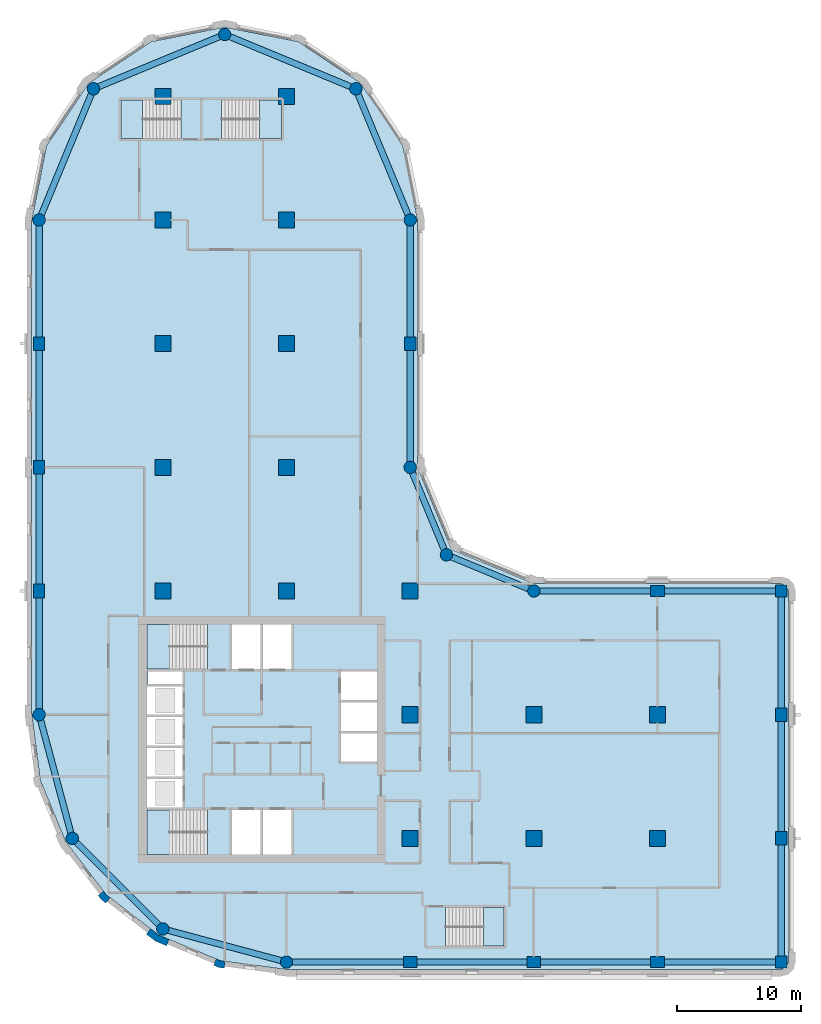
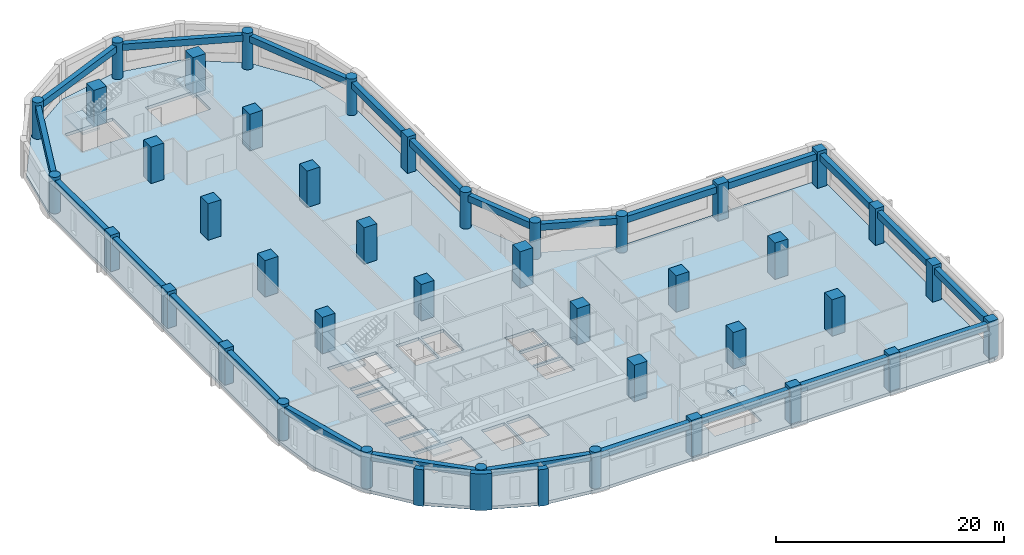
# One storey, part 1 of 9: 41 columns, 24 beams, 6 slabs, 3 walls, 5 elements without a shape of their own.
"""IFC4 building model written with IfcOpenShell, lengths in metres."""

from ifc_helpers import new_model, si_unit, direction, frame, origin, origin_2d, place, context, subcontext, project, spatial, polyline, rectangle, circle, outline, extrude, material, layer, layer_set, material_profile, profile_set, type_object, element, aggregate, save


model = new_model("IFC4")

# Units and contexts
model_context = context("Model", 3, precision=1e-05, world=origin(), true_north=direction((0.0, 1.0)))
body_context = subcontext(model_context, "Body", "Model", "MODEL_VIEW")
ifc_project = project(units=[si_unit("LENGTHUNIT", "METRE"), si_unit("AREAUNIT", "SQUARE_METRE"), si_unit("VOLUMEUNIT", "CUBIC_METRE"), si_unit("PLANEANGLEUNIT", "RADIAN"), si_unit("MASSUNIT", "GRAM", prefix="KILO")], contexts=[model_context])

# Site, building, storey
site_placement = place(None, origin())
site = spatial("IfcSite", under=ifc_project, at=site_placement, CompositionType="ELEMENT")
building_placement = place(site_placement, origin())
building = spatial("IfcBuilding", under=site, at=building_placement, Name="Qaws Garden Tower", CompositionType="ELEMENT")
storey_placement = place(building_placement, frame((0.0, 0.0, 166.800048828125)))
storey = spatial("IfcBuildingStorey", under=building, at=storey_placement, Name="L40", CompositionType="ELEMENT", Elevation=166.800048828125)

# Columns
ifc_material_1 = material(Name="Concrete C70", Category="concrete")
ifc_material_profile_1 = material_profile(ifc_material_1, rectangle(XDim=1.10009765625, YDim=0.89990234375, at=origin_2d()), Name="RC 1100x900")
ifc_profile_set_1 = profile_set([ifc_material_profile_1], Name="Concrete C70")
column_type_1 = type_object("IfcColumnType", Name="Column RC 1100x900 C70", PredefinedType="COLUMN", material=ifc_profile_set_1)
for number, where, z_axis, x_axis, name in (
    (1, (30.0, 0.0, 0.0), (0.0, 0.0, 1.0), (1.0, 0.0, 0.0), "Column L40-002"),
    (2, (40.0, 0.0, 0.0), (0.0, 0.0, 1.0), (1.0, 0.0, 0.0), "Column L40-003"),
    (3, (50.0, 0.0, 0.0), (0.0, 0.0, 1.0), (1.0, 0.0, 0.0), "Column L40-004"),
    (4, (60.0, 10.0, 0.0), (0.0, 0.0, 1.0), (0.0, 1.0, 0.0), "Column L40-006"),
    (5, (60.0, 20.0, 0.0), (0.0, 0.0, 1.0), (0.0, 1.0, 0.0), "Column L40-007"),
    (6, (50.0, 30.0, 0.0), (0.0, 0.0, 1.0), (1.0, 0.0, 0.0), "Column L40-009"),
    (7, (30.0, 50.0, 0.0), (0.0, 0.0, 1.0), (0.0, 1.0, 0.0), "Column L40-013"),
    (8, (0.0, 50.0, 0.0), (0.0, 0.0, 1.0), (0.0, 1.0, 0.0), "Column L40-019"),
    (9, (0.0, 40.0, 0.0), (0.0, 0.0, 1.0), (0.0, 1.0, 0.0), "Column L40-020"),
    (10, (0.0, 30.0, 0.0), (0.0, 0.0, 1.0), (0.0, 1.0, 0.0), "Column L40-021"),
):
    element("IfcColumn", number, at=place(storey_placement, frame(where, z_axis=z_axis, x_axis=x_axis)), inside=storey, type_object=column_type_1, Name=name, PredefinedType="COLUMN", context=body_context, shape_type="SweptSolid", body=[
        extrude(rectangle(XDim=1.10009765625, YDim=0.89990234375, at=origin_2d()), origin(), (0.0, 0.0, 1.0), 3.89990234375),
    ])
ifc_material_2 = material(Name="Concrete C70", Category="concrete")
ifc_material_profile_2 = material_profile(ifc_material_2, rectangle(XDim=1.300048828125, YDim=1.300048828125, at=origin_2d()), Name="RC 1300x1300")
ifc_profile_set_2 = profile_set([ifc_material_profile_2], Name="Concrete C70")
column_type_2 = type_object("IfcColumnType", Name="Column RC 1300x1300 C70", PredefinedType="COLUMN", material=ifc_profile_set_2)
for number, where, z_axis, x_axis, name in (
    (11, (10.0, 30.0, 0.0), (0.0, 0.0, 1.0), (1.0, 0.0, 0.0), "Column L40-025"),
    (12, (10.0, 40.0, 0.0), (0.0, 0.0, 1.0), (1.0, 0.0, 0.0), "Column L40-026"),
    (13, (10.0, 50.0, 0.0), (0.0, 0.0, 1.0), (1.0, 0.0, 0.0), "Column L40-027"),
    (14, (10.0, 60.0, 0.0), (0.0, 0.0, 1.0), (1.0, 0.0, 0.0), "Column L40-028"),
    (15, (10.0, 70.0, 0.0), (0.0, 0.0, 1.0), (1.0, 0.0, 0.0), "Column L40-029"),
    (16, (20.0, 30.0, 0.0), (0.0, 0.0, 1.0), (1.0, 0.0, 0.0), "Column L40-030"),
    (17, (20.0, 40.0, 0.0), (0.0, 0.0, 1.0), (1.0, 0.0, 0.0), "Column L40-031"),
    (18, (20.0, 50.0, 0.0), (0.0, 0.0, 1.0), (1.0, 0.0, 0.0), "Column L40-032"),
    (19, (20.0, 60.0, 0.0), (0.0, 0.0, 1.0), (1.0, 0.0, 0.0), "Column L40-033"),
    (20, (20.0, 70.0, 0.0), (0.0, 0.0, 1.0), (1.0, 0.0, 0.0), "Column L40-034"),
    (21, (30.0, 10.0, 0.0), (0.0, 0.0, 1.0), (1.0, 0.0, 0.0), "Column L40-035"),
    (22, (30.0, 20.0, 0.0), (0.0, 0.0, 1.0), (1.0, 0.0, 0.0), "Column L40-036"),
    (23, (30.0, 30.0, 0.0), (0.0, 0.0, 1.0), (1.0, 0.0, 0.0), "Column L40-037"),
    (24, (40.0, 10.0, 0.0), (0.0, 0.0, 1.0), (1.0, 0.0, 0.0), "Column L40-038"),
    (25, (40.0, 20.0, 0.0), (0.0, 0.0, 1.0), (1.0, 0.0, 0.0), "Column L40-039"),
    (26, (50.0, 10.0, 0.0), (0.0, 0.0, 1.0), (1.0, 0.0, 0.0), "Column L40-040"),
    (27, (50.0, 20.0, 0.0), (0.0, 0.0, 1.0), (1.0, 0.0, 0.0), "Column L40-041"),
):
    element("IfcColumn", number, at=place(storey_placement, frame(where, z_axis=z_axis, x_axis=x_axis)), inside=storey, type_object=column_type_2, Name=name, PredefinedType="COLUMN", context=body_context, shape_type="SweptSolid", body=[
        extrude(rectangle(XDim=1.300048828125, YDim=1.300048828125, at=origin_2d()), origin(), (0.0, 0.0, 1.0), 3.89990234375),
    ])
ifc_material_3 = material(Name="Concrete C70", Category="concrete")
ifc_material_profile_3 = material_profile(ifc_material_3, rectangle(XDim=0.949951171875, YDim=0.949951171875, at=origin_2d()), Name="RC 950x950")
ifc_profile_set_3 = profile_set([ifc_material_profile_3], Name="Concrete C70")
column_type_3 = type_object("IfcColumnType", Name="Column RC 950x950 C70", PredefinedType="COLUMN", material=ifc_profile_set_3)
for number, where, z_axis, x_axis, name in (
    (28, (60.0, 0.0, 0.0), (0.0, 0.0, 1.0), (1.0, 0.0, 0.0), "Column L40-005"),
    (29, (60.0, 30.0, 0.0), (0.0, 0.0, 1.0), (1.0, 0.0, 0.0), "Column L40-008"),
):
    element("IfcColumn", number, at=place(storey_placement, frame(where, z_axis=z_axis, x_axis=x_axis)), inside=storey, type_object=column_type_3, Name=name, PredefinedType="COLUMN", context=body_context, shape_type="SweptSolid", body=[
        extrude(rectangle(XDim=0.949951171875, YDim=0.949951171875, at=origin_2d()), origin(), (0.0, 0.0, 1.0), 3.89990234375),
    ])
ifc_material_4 = material(Name="Concrete C70", Category="concrete")
ifc_material_profile_4 = material_profile(ifc_material_4, circle(Radius=0.5, at=origin_2d()), Name="RC D1000")
ifc_profile_set_4 = profile_set([ifc_material_profile_4], Name="Concrete C70")
column_type_4 = type_object("IfcColumnType", Name="Column RC D1000 C70", PredefinedType="COLUMN", material=ifc_profile_set_4)
for number, where, z_axis, x_axis, name in (
    (30, (20.0, 0.0, 0.0), (0.0, 0.0, 1.0), (1.0, 0.0, 0.0), "Column L40-001"),
    (31, (40.0, 30.0, 0.0), (0.0, 0.0, 1.0), (1.0, 0.0, 0.0), "Column L40-010"),
    (32, (32.928955078125, 32.928955078125, 0.0), (0.0, 0.0, 1.0), (1.0, 0.0, 0.0), "Column L40-011"),
    (33, (30.0, 40.0, 0.0), (0.0, 0.0, 1.0), (1.0, 0.0, 0.0), "Column L40-012"),
    (34, (30.0, 60.0, 0.0), (0.0, 0.0, 1.0), (1.0, 0.0, 0.0), "Column L40-014"),
    (35, (25.606689453125, 70.606689453125, 0.0), (0.0, 0.0, 1.0), (1.0, 0.0, 0.0), "Column L40-015"),
    (36, (15.0, 75.0, 0.0), (0.0, 0.0, 1.0), (1.0, 0.0, 0.0), "Column L40-016"),
    (37, (4.393310546875, 70.606689453125, 0.0), (0.0, 0.0, 1.0), (1.0, 0.0, 0.0), "Column L40-017"),
    (38, (0.0, 60.0, 0.0), (0.0, 0.0, 1.0), (1.0, 0.0, 0.0), "Column L40-018"),
    (39, (0.0, 20.0, 0.0), (0.0, 0.0, 1.0), (1.0, 0.0, 0.0), "Column L40-022"),
    (40, (2.679443359375, 10.0, 0.0), (0.0, 0.0, 1.0), (1.0, 0.0, 0.0), "Column L40-023"),
    (41, (10.0, 2.679443359375, 0.0), (0.0, 0.0, 1.0), (1.0, 0.0, 0.0), "Column L40-024"),
):
    element("IfcColumn", number, at=place(storey_placement, frame(where, z_axis=z_axis, x_axis=x_axis)), inside=storey, type_object=column_type_4, Name=name, PredefinedType="COLUMN", context=body_context, shape_type="SweptSolid", body=[
        extrude(circle(Radius=0.5, at=origin_2d()), origin(), (0.0, 0.0, 1.0), 3.89990234375),
    ])

# Beams
ifc_material_5 = material(Name="Concrete C45", Category="concrete")
ifc_material_profile_5 = material_profile(ifc_material_5, rectangle(XDim=0.5, YDim=0.699951171875, at=origin_2d()), Name="RC 500x700")
ifc_profile_set_5 = profile_set([ifc_material_profile_5], Name="Concrete C45")
beam_type = type_object("IfcBeamType", Name="Spandrel beam RC 500x700 C45", PredefinedType="SPANDREL", material=ifc_profile_set_5)
for number, where, z_axis, x_axis, name in (
    (42, (20.0, 0.0, 3.22998046875), (1.0, 0.0, 0.0), (0.0, 1.0, 0.0), "Spandrel beam L40-001"),
    (43, (30.0, 0.0, 3.22998046875), (1.0, 0.0, 0.0), (0.0, 1.0, 0.0), "Spandrel beam L40-002"),
    (44, (40.0, 0.0, 3.22998046875), (1.0, 0.0, 0.0), (0.0, 1.0, 0.0), "Spandrel beam L40-003"),
    (45, (50.0, 0.0, 3.22998046875), (1.0, 0.0, 0.0), (0.0, 1.0, 0.0), "Spandrel beam L40-004"),
    (46, (60.0, 0.0, 3.22998046875), (0.0, 1.0, 0.0), (-1.0, 0.0, 0.0), "Spandrel beam L40-005"),
    (47, (60.0, 10.0, 3.22998046875), (0.0, 1.0, 0.0), (-1.0, 0.0, 0.0), "Spandrel beam L40-006"),
    (48, (60.0, 20.0, 3.22998046875), (0.0, 1.0, 0.0), (-1.0, 0.0, 0.0), "Spandrel beam L40-007"),
    (49, (60.0, 30.0, 3.22998046875), (-1.0, 0.0, 0.0), (0.0, -1.0, 0.0), "Spandrel beam L40-008"),
    (50, (50.0, 30.0, 3.22998046875), (-1.0, 0.0, 0.0), (0.0, -1.0, 0.0), "Spandrel beam L40-009"),
):
    element("IfcBeam", number, at=place(storey_placement, frame(where, z_axis=z_axis, x_axis=x_axis)), inside=storey, type_object=beam_type, Name=name, PredefinedType="SPANDREL", context=body_context, shape_type="SweptSolid", body=[
        extrude(rectangle(XDim=0.5, YDim=0.699951171875, at=origin_2d()), origin(), (0.0, 0.0, 1.0), 10.0),
    ])
for number, where, z_axis, x_axis, name in (
    (51, (40.0, 30.0, 3.22998046875), (-0.923878037141, 0.382687042488, 0.0), (-0.382687042488, -0.923878037141, 0.0), "Spandrel beam L40-010"),
    (52, (32.928955078125, 32.928955078125, 3.22998046875), (-0.382687042488, 0.923878037141, 0.0), (-0.923878037141, -0.382687042488, 0.0), "Spandrel beam L40-011"),
):
    element("IfcBeam", number, at=place(storey_placement, frame(where, z_axis=z_axis, x_axis=x_axis)), inside=storey, type_object=beam_type, Name=name, PredefinedType="SPANDREL", context=body_context, shape_type="SweptSolid", body=[
        extrude(rectangle(XDim=0.5, YDim=0.699951171875, at=origin_2d()), origin(), (0.0, 0.0, 1.0), 7.653564453125),
    ])
for number, where, z_axis, x_axis, name in (
    (53, (30.0, 40.0, 3.22998046875), (0.0, 1.0, 0.0), (-1.0, 0.0, 0.0), "Spandrel beam L40-012"),
    (54, (30.0, 50.0, 3.22998046875), (0.0, 1.0, 0.0), (-1.0, 0.0, 0.0), "Spandrel beam L40-013"),
):
    element("IfcBeam", number, at=place(storey_placement, frame(where, z_axis=z_axis, x_axis=x_axis)), inside=storey, type_object=beam_type, Name=name, PredefinedType="SPANDREL", context=body_context, shape_type="SweptSolid", body=[
        extrude(rectangle(XDim=0.5, YDim=0.699951171875, at=origin_2d()), origin(), (0.0, 0.0, 1.0), 10.0),
    ])
for number, where, z_axis, x_axis, name in (
    (55, (30.0, 60.0, 3.22998046875), (-0.382674207535, 0.923883353507, 0.0), (-0.923883353507, -0.382674207535, 0.0), "Spandrel beam L40-014"),
    (56, (25.606689453125, 70.606689453125, 3.22998046875), (-0.923883353507, 0.382674207535, 0.0), (-0.382674207535, -0.923883353507, 0.0), "Spandrel beam L40-015"),
    (57, (15.0, 75.0, 3.22998046875), (-0.923883353507, -0.382674207535, 0.0), (0.382674207535, -0.923883353507, 0.0), "Spandrel beam L40-016"),
    (58, (4.393310546875, 70.606689453125, 3.22998046875), (-0.382674207535, -0.923883353507, 0.0), (0.923883353507, -0.382674207535, 0.0), "Spandrel beam L40-017"),
):
    element("IfcBeam", number, at=place(storey_placement, frame(where, z_axis=z_axis, x_axis=x_axis)), inside=storey, type_object=beam_type, Name=name, PredefinedType="SPANDREL", context=body_context, shape_type="SweptSolid", body=[
        extrude(rectangle(XDim=0.5, YDim=0.699951171875, at=origin_2d()), origin(), (0.0, 0.0, 1.0), 11.48046875),
    ])
for number, where, z_axis, x_axis, name in (
    (59, (0.0, 60.0, 3.22998046875), (0.0, -1.0, 0.0), (1.0, 0.0, 0.0), "Spandrel beam L40-018"),
    (60, (0.0, 50.0, 3.22998046875), (0.0, -1.0, 0.0), (1.0, 0.0, 0.0), "Spandrel beam L40-019"),
    (61, (0.0, 40.0, 3.22998046875), (0.0, -1.0, 0.0), (1.0, 0.0, 0.0), "Spandrel beam L40-020"),
    (62, (0.0, 30.0, 3.22998046875), (0.0, -1.0, 0.0), (1.0, 0.0, 0.0), "Spandrel beam L40-021"),
):
    element("IfcBeam", number, at=place(storey_placement, frame(where, z_axis=z_axis, x_axis=x_axis)), inside=storey, type_object=beam_type, Name=name, PredefinedType="SPANDREL", context=body_context, shape_type="SweptSolid", body=[
        extrude(rectangle(XDim=0.5, YDim=0.699951171875, at=origin_2d()), origin(), (0.0, 0.0, 1.0), 10.0),
    ])
for number, where, z_axis, x_axis, name in (
    (63, (0.0, 20.0, 3.22998046875), (0.25881466832, -0.965926999034, 0.0), (0.965926999034, 0.25881466832, 0.0), "Spandrel beam L40-022"),
    (64, (2.679443359375, 10.0, 3.22998046875), (0.707106781187, -0.707106781187, 0.0), (0.707106781187, 0.707106781187, 0.0), "Spandrel beam L40-023"),
    (65, (10.0, 2.679443359375, 3.22998046875), (0.965926999034, -0.25881466832, 0.0), (0.25881466832, 0.965926999034, 0.0), "Spandrel beam L40-024"),
):
    element("IfcBeam", number, at=place(storey_placement, frame(where, z_axis=z_axis, x_axis=x_axis)), inside=storey, type_object=beam_type, Name=name, PredefinedType="SPANDREL", context=body_context, shape_type="SweptSolid", body=[
        extrude(rectangle(XDim=0.5, YDim=0.699951171875, at=origin_2d()), origin(), (0.0, 0.0, 1.0), 10.352783203125),
    ])

# Slab
ifc_material_6 = material(Name="Concrete C40", Category="concrete")
ifc_layer_1 = layer(ifc_material_6, 0.320068359375)
ifc_layer_set_1 = layer_set([ifc_layer_1], Name="Concrete C40")
slab_type_1 = type_object("IfcSlabType", Name="Floor slab 320 C40", PredefinedType="FLOOR", material=ifc_layer_set_1)
slab_1_placement = place(storey_placement, frame((0.0, 0.0, -0.320068359375)))
element("IfcSlab", 66, at=slab_1_placement, inside=storey, type_object=slab_type_1, Name="Floor slab L40", PredefinedType="FLOOR", context=body_context, shape_type="SweptSolid", body=[
    extrude(outline(polyline([(0.101806640625, 14.668212890625), (-0.60009765625, 20.0), (-0.60009765625, 30.60009765625), (-0.60009765625, 60.0), (-0.60009765625, 60.0), (0.58740234375, 65.969970703125), (3.968994140625, 71.031005859375), (9.030029296875, 74.41259765625), (15.0, 75.60009765625), (20.969970703125, 74.41259765625), (26.031005859375, 71.031005859375), (29.41259765625, 65.969970703125), (30.60009765625, 60.0), (30.60009765625, 40.0), (33.353271484375, 33.353271484375), (40.0, 30.60009765625), (60.0, 30.60009765625), (60.42431640625, 30.42431640625), (60.60009765625, 30.0), (60.60009765625, 0.0), (60.42431640625, -0.42431640625), (60.0, -0.60009765625), (30.60009765625, -0.60009765625), (20.0, -0.60009765625), (14.668212890625, 0.101806640625), (9.699951171875, 2.159912109375), (5.43359375, 5.43359375), (2.159912109375, 9.699951171875), (0.101806640625, 14.668212890625)]), holes=[polyline([(13.599609375, 12.300048828125), (8.699951171875, 12.300048828125), (8.699951171875, 8.699951171875), (13.599609375, 8.699951171875), (13.599609375, 12.300048828125)]), polyline([(17.89990234375, 12.300048828125), (15.60009765625, 12.300048828125), (15.60009765625, 8.699951171875), (17.89990234375, 8.699951171875), (17.89990234375, 12.300048828125)]), polyline([(11.60009765625, 14.800048828125), (8.699951171875, 14.800048828125), (8.699951171875, 12.5), (11.60009765625, 12.5), (11.60009765625, 14.800048828125)]), polyline([(11.60009765625, 17.300048828125), (8.699951171875, 17.300048828125), (8.699951171875, 15.0), (11.60009765625, 15.0), (11.60009765625, 17.300048828125)]), polyline([(11.60009765625, 19.800048828125), (8.699951171875, 19.800048828125), (8.699951171875, 17.5), (11.60009765625, 17.5), (11.60009765625, 19.800048828125)]), polyline([(11.60009765625, 22.300048828125), (8.699951171875, 22.300048828125), (8.699951171875, 20.0), (11.60009765625, 20.0), (11.60009765625, 22.300048828125)]), polyline([(11.60009765625, 23.5), (8.800048828125, 23.5), (8.800048828125, 22.5), (11.60009765625, 22.5), (11.60009765625, 23.5)]), polyline([(13.599609375, 27.300048828125), (8.699951171875, 27.300048828125), (8.699951171875, 23.699951171875), (13.599609375, 23.699951171875), (13.599609375, 27.300048828125)]), polyline([(11.449462890625, 69.699951171875), (6.60009765625, 69.699951171875), (6.60009765625, 66.60009765625), (11.449462890625, 66.60009765625), (11.449462890625, 69.699951171875)]), polyline([(37.60009765625, 4.39990234375), (32.8505859375, 4.39990234375), (32.8505859375, 1.300048828125), (37.60009765625, 1.300048828125), (37.60009765625, 4.39990234375)]), polyline([(20.39990234375, 12.300048828125), (18.10009765625, 12.300048828125), (18.10009765625, 8.699951171875), (20.39990234375, 8.699951171875), (20.39990234375, 12.300048828125)]), polyline([(27.300048828125, 18.5), (24.39990234375, 18.5), (24.39990234375, 16.199951171875), (27.300048828125, 16.199951171875), (27.300048828125, 18.5)]), polyline([(27.300048828125, 21.0), (24.39990234375, 21.0), (24.39990234375, 18.699951171875), (27.300048828125, 18.699951171875), (27.300048828125, 21.0)]), polyline([(27.300048828125, 23.5), (24.39990234375, 23.5), (24.39990234375, 21.199951171875), (27.300048828125, 21.199951171875), (27.300048828125, 23.5)]), polyline([(17.89990234375, 27.300048828125), (15.60009765625, 27.300048828125), (15.60009765625, 23.699951171875), (17.89990234375, 23.699951171875), (17.89990234375, 27.300048828125)]), polyline([(20.39990234375, 23.699951171875), (20.39990234375, 27.300048828125), (18.10009765625, 27.300048828125), (18.10009765625, 23.699951171875), (20.39990234375, 23.699951171875)]), polyline([(19.60009765625, 66.60009765625), (19.60009765625, 69.699951171875), (14.75048828125, 69.699951171875), (14.75048828125, 66.60009765625), (19.60009765625, 66.60009765625)])]), origin(), (0.0, 0.0, 1.0), 0.320068359375),
])

# Stair, slab
ifc_material_7 = material(Name="Concrete C40", Category="concrete")
stair_type_1 = type_object("IfcStairType", Name="Exit stair 1500", PredefinedType="HALF_TURN_STAIR", material=ifc_material_7)
placement_1 = place(storey_placement, origin())
stair_1 = element("IfcStair", 67, at=placement_1, inside=storey, type_object=stair_type_1, Name="Stair 1", PredefinedType="HALF_TURN_STAIR")
ifc_material_8 = material(Name="Concrete C40", Category="concrete")
ifc_layer_2 = layer(ifc_material_8, 0.199951171875)
ifc_layer_set_2 = layer_set([ifc_layer_2], Name="Concrete C40")
slab_type_2 = type_object("IfcSlabType", Name="Stair landing 200", PredefinedType="LANDING", material=ifc_layer_set_2)
placement_2 = place(storey_placement, frame((0.0, 0.0, 1.75)))
slab_2 = element("IfcSlab", 68, at=placement_2, type_object=slab_type_2, Name="ST1 landing 1", PredefinedType="LANDING", context=body_context, shape_type="SweptSolid", body=[
    extrude(outline(polyline([(8.699951171875, 8.699951171875), (10.52001953125, 8.699951171875), (10.52001953125, 12.300048828125), (8.699951171875, 12.300048828125), (8.699951171875, 8.699951171875)])), origin(), (0.0, 0.0, 1.0), 0.199951171875),
])
aggregate(stair_1, [slab_2])

stair_2 = element("IfcStair", 69, at=placement_1, inside=storey, type_object=stair_type_1, Name="Stair 4", PredefinedType="HALF_TURN_STAIR")
slab_3 = element("IfcSlab", 70, at=placement_2, type_object=slab_type_2, Name="ST4 landing 1", PredefinedType="LANDING", context=body_context, shape_type="SweptSolid", body=[
    extrude(outline(polyline([(8.699951171875, 23.699951171875), (10.52001953125, 23.699951171875), (10.52001953125, 27.300048828125), (8.699951171875, 27.300048828125), (8.699951171875, 23.699951171875)])), origin(), (0.0, 0.0, 1.0), 0.199951171875),
])
aggregate(stair_2, [slab_3])

ifc_material_9 = material(Name="Concrete C40", Category="concrete")
stair_type_2 = type_object("IfcStairType", Name="Exit stair 1350", PredefinedType="HALF_TURN_STAIR", material=ifc_material_9)
stair_3 = element("IfcStair", 71, at=placement_1, inside=storey, type_object=stair_type_2, Name="Stair 5", PredefinedType="HALF_TURN_STAIR")
slab_4 = element("IfcSlab", 72, at=placement_2, type_object=slab_type_2, Name="ST5 landing 1", PredefinedType="LANDING", context=body_context, shape_type="SweptSolid", body=[
    extrude(outline(polyline([(35.929931640625, 1.300048828125), (37.60009765625, 1.300048828125), (37.60009765625, 4.39990234375), (35.929931640625, 4.39990234375), (35.929931640625, 1.300048828125)])), origin(), (0.0, 0.0, 1.0), 0.199951171875),
])
aggregate(stair_3, [slab_4])

stair_4 = element("IfcStair", 73, at=placement_1, inside=storey, type_object=stair_type_2, Name="Stair 6", PredefinedType="HALF_TURN_STAIR")
slab_5 = element("IfcSlab", 74, at=placement_2, type_object=slab_type_2, Name="ST6 landing 1", PredefinedType="LANDING", context=body_context, shape_type="SweptSolid", body=[
    extrude(outline(polyline([(6.60009765625, 66.60009765625), (8.3701171875, 66.60009765625), (8.3701171875, 69.699951171875), (6.60009765625, 69.699951171875), (6.60009765625, 66.60009765625)])), origin(), (0.0, 0.0, 1.0), 0.199951171875),
])
aggregate(stair_4, [slab_5])

stair_5 = element("IfcStair", 75, at=placement_1, inside=storey, type_object=stair_type_2, Name="Stair 7", PredefinedType="HALF_TURN_STAIR")
slab_6 = element("IfcSlab", 76, at=placement_2, type_object=slab_type_2, Name="ST7 landing 1", PredefinedType="LANDING", context=body_context, shape_type="SweptSolid", body=[
    extrude(outline(polyline([(17.830078125, 66.60009765625), (19.60009765625, 66.60009765625), (19.60009765625, 69.699951171875), (17.830078125, 69.699951171875), (17.830078125, 66.60009765625)])), origin(), (0.0, 0.0, 1.0), 0.199951171875),
])
aggregate(stair_5, [slab_6])

# Walls
ifc_material_10 = material(Name="Buff clay facing brick masonry", Category="masonry")
ifc_layer_3 = layer(ifc_material_10, 0.550048828125)
ifc_layer_set_3 = layer_set([ifc_layer_3], Name="Buff clay facing brick masonry")
wall_type_1 = type_object("IfcWallType", Name="Buff brick kink pier 550 x 600", PredefinedType="SOLIDWALL", material=ifc_layer_set_3)
element("IfcWall", 77, at=placement_1, inside=storey, type_object=wall_type_1, Name="E-L40-pier-28", PredefinedType="SOLIDWALL", context=body_context, shape_type="SweptSolid", body=[
    extrude(outline(polyline([(4.8818359375, 5.487060546875), (4.762939453125, 5.395751953125), (5.03759765625, 5.03759765625), (5.395751953125, 4.762939453125), (5.487060546875, 4.8818359375), (5.730712890625, 5.19921875), (5.429931640625, 5.429931640625), (5.19921875, 5.730712890625), (4.8818359375, 5.487060546875)])), origin(), (0.0, 0.0, 1.0), 3.89990234375),
])
element("IfcWall", 78, at=placement_1, inside=storey, type_object=wall_type_1, Name="E-L40-pier-30", PredefinedType="SOLIDWALL", context=body_context, shape_type="SweptSolid", body=[
    extrude(outline(polyline([(14.163818359375, -0.127685546875), (14.1064453125, -0.26611328125), (14.5234375, -0.43896484375), (14.970947265625, -0.497802734375), (14.990478515625, -0.34912109375), (15.042724609375, 0.04736328125), (14.6669921875, 0.096923828125), (14.31689453125, 0.241943359375), (14.163818359375, -0.127685546875)])), origin(), (0.0, 0.0, 1.0), 3.89990234375),
])
ifc_material_11 = material(Name="Buff clay facing brick masonry", Category="masonry")
ifc_layer_4 = layer(ifc_material_11, 0.550048828125)
ifc_layer_set_4 = layer_set([ifc_layer_4], Name="Buff clay facing brick masonry")
wall_type_2 = type_object("IfcWallType", Name="Buff brick pier 550 x 1600", PredefinedType="SOLIDWALL", material=ifc_layer_set_4)
element("IfcWall", 79, at=placement_1, inside=storey, type_object=wall_type_2, Name="E-L40-pier-29", PredefinedType="SOLIDWALL", context=body_context, shape_type="SweptSolid", body=[
    extrude(outline(polyline([(8.756591796875, 2.373046875), (8.665283203125, 2.254150390625), (9.419921875, 1.675048828125), (10.299072265625, 1.310791015625), (10.3564453125, 1.449462890625), (10.509521484375, 1.819091796875), (9.697509765625, 2.1552734375), (9.0, 2.6904296875), (8.756591796875, 2.373046875)])), origin(), (0.0, 0.0, 1.0), 3.89990234375),
])

save(model, "model.ifc")
